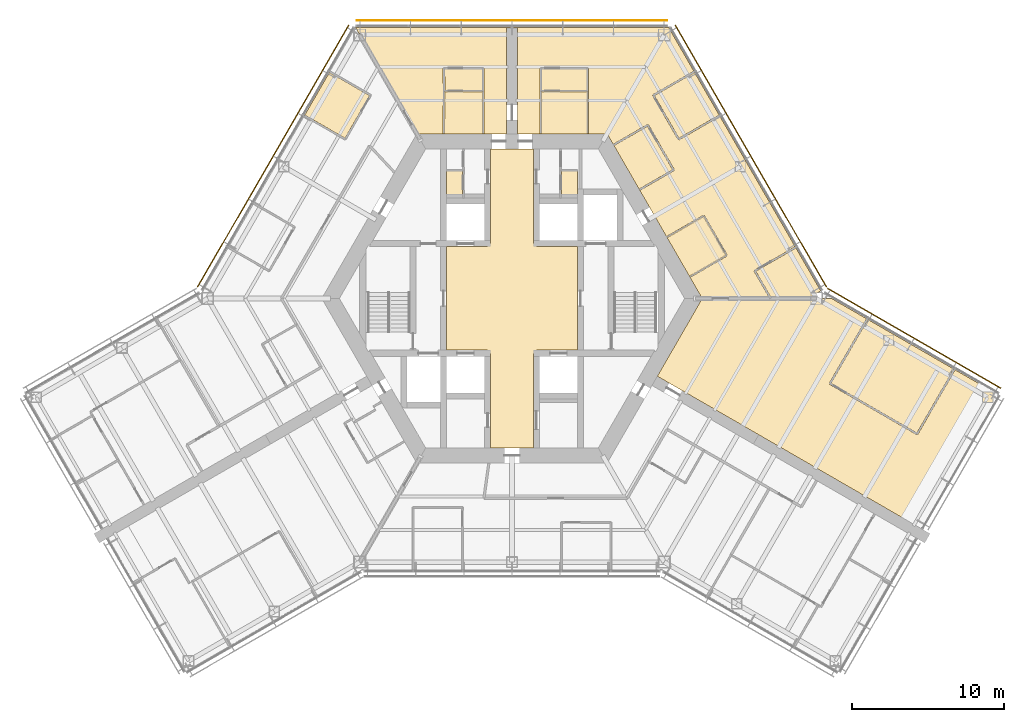
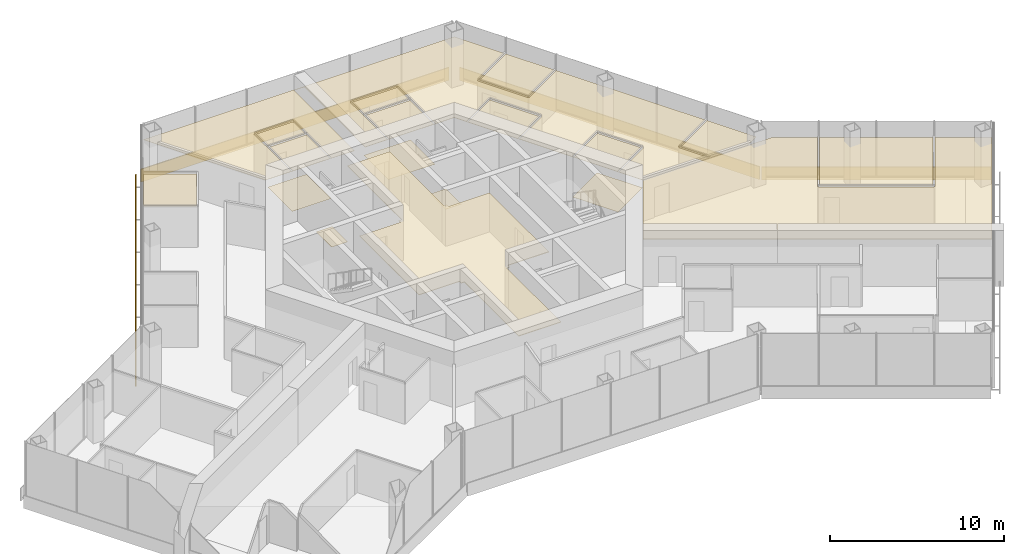
# One storey, part 19 of 19: 19 coverings, 4 shading devices.
"""IFC4 building model written with IfcOpenShell, lengths in metres."""

from ifc_helpers import new_model, si_unit, direction, frame, origin, origin_2d, place, context, subcontext, project, spatial, polyline, rectangle, outline, extrude, material, layer, layer_set, type_object, element, save


model = new_model("IFC4")

# Units and contexts
model_context = context("Model", 3, precision=1e-05, world=origin(), true_north=direction((0.0, 1.0)))
body_context = subcontext(model_context, "Body", "Model", "MODEL_VIEW")
ifc_project = project(units=[si_unit("LENGTHUNIT", "METRE"), si_unit("AREAUNIT", "SQUARE_METRE"), si_unit("VOLUMEUNIT", "CUBIC_METRE"), si_unit("PLANEANGLEUNIT", "RADIAN"), si_unit("MASSUNIT", "GRAM", prefix="KILO")], contexts=[model_context])

# Site, building, storey
site_placement = place(None, origin())
site = spatial("IfcSite", under=ifc_project, at=site_placement, CompositionType="ELEMENT")
building_placement = place(site_placement, origin())
building = spatial("IfcBuilding", under=site, at=building_placement, Name="Kasaneha Research Tower", CompositionType="ELEMENT")
storey_placement = place(building_placement, frame((0.0, 0.0, 164.300048828125)))
storey = spatial("IfcBuildingStorey", under=building, at=storey_placement, Name="L41", CompositionType="ELEMENT", Elevation=164.300048828125)

# Coverings
ifc_material_1 = material(Name="Aluminium panel ceiling", Category="aluminium")
ifc_layer_1 = layer(ifc_material_1, 0.0400390625)
ifc_layer_set_1 = layer_set([ifc_layer_1], Name="Lift lobby ceiling 40")
covering_type_1 = type_object("IfcCoveringType", Name="Lift lobby ceiling 40", PredefinedType="CEILING", material=ifc_layer_set_1)
covering_1_placement = place(storey_placement, frame((0.0, 0.0, 2.699951171875)))
element("IfcCovering", 1, at=covering_1_placement, inside=storey, type_object=covering_type_1, Name="Ceiling L41-01", PredefinedType="CEILING", context=body_context, shape_type="SweptSolid", body=[
    extrude(outline(polyline([(1.39990234375, 9.824951171875), (1.39990234375, 3.60009765625), (1.60009765625, 3.60009765625), (1.60009765625, 3.39990234375), (4.300048828125, 3.39990234375), (4.300048828125, -3.39990234375), (1.60009765625, -3.39990234375), (1.60009765625, -3.60009765625), (1.39990234375, -3.60009765625), (1.39990234375, -9.824951171875), (-1.39990234375, -9.824951171875), (-1.39990234375, -3.60009765625), (-1.60009765625, -3.60009765625), (-1.60009765625, -3.39990234375), (-4.300048828125, -3.39990234375), (-4.300048828125, 3.39990234375), (-1.60009765625, 3.39990234375), (-1.60009765625, 3.60009765625), (-1.39990234375, 3.60009765625), (-1.39990234375, 9.824951171875), (1.39990234375, 9.824951171875)])), origin(), (0.0, 0.0, 1.0), 0.0400390625),
])
ifc_material_2 = material(Name="Gypsum ceiling board", Category="gypsum")
ifc_layer_2 = layer(ifc_material_2, 0.02001953125)
ifc_layer_set_2 = layer_set([ifc_layer_2], Name="Suspended ceiling 20")
covering_type_2 = type_object("IfcCoveringType", Name="Suspended ceiling 20", PredefinedType="CEILING", material=ifc_layer_set_2)
covering_2_placement = place(storey_placement, frame((0.0, 0.0, 2.800048828125)))
element("IfcCovering", 2, at=covering_2_placement, inside=storey, type_object=covering_type_2, Name="Ceiling L41-26", PredefinedType="CEILING", context=body_context, shape_type="SweptSolid", body=[
    extrude(outline(polyline([(1.89990234375, 10.824951171875), (1.89990234375, 10.844970703125), (1.949951171875, 10.844970703125), (1.95458984375, 13.570068359375), (4.91650390625, 13.570068359375), (4.9208984375, 10.844970703125), (4.970947265625, 10.844970703125), (4.970947265625, 10.824951171875), (1.89990234375, 10.824951171875)])), origin(), (0.0, 0.0, 1.0), 0.02001953125),
])
covering_3_placement = place(storey_placement, frame((0.0, 0.0, 2.800048828125)))
element("IfcCovering", 3, at=covering_3_placement, inside=storey, type_object=covering_type_2, Name="Ceiling L41-27", PredefinedType="CEILING", context=body_context, shape_type="SweptSolid", body=[
    extrude(outline(polyline([(4.91650390625, 13.669921875), (1.954345703125, 13.669921875), (1.9501953125, 15.074951171875), (4.9208984375, 15.074951171875), (4.91650390625, 13.669921875)])), origin(), (0.0, 0.0, 1.0), 0.02001953125),
])
covering_4_placement = place(storey_placement, frame((0.0, 0.0, 2.800048828125)))
element("IfcCovering", 4, at=covering_4_placement, inside=storey, type_object=covering_type_2, Name="Ceiling L41-28", PredefinedType="CEILING", context=body_context, shape_type="SweptSolid", body=[
    extrude(outline(polyline([(10.1748046875, 4.02685546875), (10.192138671875, 4.036865234375), (10.217041015625, 3.99365234375), (12.581298828125, 5.358642578125), (14.03125, 2.84716796875), (11.6669921875, 1.482177734375), (11.692138671875, 1.438720703125), (11.6748046875, 1.4287109375), (10.1748046875, 4.02685546875)])), origin(), (0.0, 0.0, 1.0), 0.02001953125),
])
covering_5_placement = place(storey_placement, frame((0.0, 0.0, 2.800048828125)))
element("IfcCovering", 5, at=covering_5_placement, inside=storey, type_object=covering_type_2, Name="Ceiling L41-29", PredefinedType="CEILING", context=body_context, shape_type="SweptSolid", body=[
    extrude(outline(polyline([(13.640869140625, 12.0146484375), (13.623291015625, 12.004638671875), (13.598388671875, 12.0478515625), (10.974365234375, 10.53271484375), (9.35888671875, 13.330810546875), (12.000244140625, 14.85595703125), (13.640869140625, 12.0146484375)])), origin(), (0.0, 0.0, 1.0), 0.02001953125),
])
covering_6_placement = place(storey_placement, frame((0.0, 0.0, 2.800048828125)))
element("IfcCovering", 6, at=covering_6_placement, inside=storey, type_object=covering_type_2, Name="Ceiling L41-30", PredefinedType="CEILING", context=body_context, shape_type="SweptSolid", body=[
    extrude(outline(polyline([(6.6748046875, 10.089111328125), (6.69189453125, 10.09912109375), (6.717041015625, 10.0556640625), (8.908203125, 11.32080078125), (10.55810546875, 8.462890625), (8.366943359375, 7.197998046875), (8.39208984375, 7.154541015625), (8.374755859375, 7.14453125), (6.6748046875, 10.089111328125)])), origin(), (0.0, 0.0, 1.0), 0.02001953125),
])
covering_7_placement = place(storey_placement, frame((0.0, 0.0, 2.800048828125)))
element("IfcCovering", 7, at=covering_7_placement, inside=storey, type_object=covering_type_2, Name="Ceiling L41-31", PredefinedType="CEILING", context=body_context, shape_type="SweptSolid", body=[
    extrude(outline(polyline([(19.41845703125, 0.0), (16.997802734375, 0.0), (16.986328125, 0.02001953125), (17.029541015625, 0.044921875), (16.020751953125, 1.792236328125), (18.644775390625, 3.30712890625), (18.619873046875, 3.3505859375), (18.63720703125, 3.360595703125), (20.28759765625, 0.501708984375), (19.41845703125, 0.0)])), origin(), (0.0, 0.0, 1.0), 0.02001953125),
])
covering_8_placement = place(storey_placement, frame((0.0, 0.0, 2.800048828125)))
element("IfcCovering", 8, at=covering_8_placement, inside=storey, type_object=covering_type_2, Name="Ceiling L41-32", PredefinedType="CEILING", context=body_context, shape_type="SweptSolid", body=[
    extrude(outline(polyline([(11.6923828125, 1.438232421875), (11.717041015625, 1.3955078125), (14.12451171875, 2.785400390625), (14.099609375, 2.828857421875), (14.10009765625, 2.8291015625), (14.10009765625, 2.8291015625), (14.142822265625, 2.853759765625), (12.642822265625, 5.451904296875), (12.599853515625, 5.427001953125), (12.599609375, 5.42724609375), (12.599365234375, 5.42724609375), (12.57470703125, 5.47021484375), (10.1669921875, 4.080078125), (10.19189453125, 4.037353515625), (10.174560546875, 4.02734375), (8.375, 7.14404296875), (8.392333984375, 7.154052734375), (8.4169921875, 7.111328125), (10.6513671875, 8.4013671875), (10.62646484375, 8.4443359375), (10.626953125, 8.444580078125), (10.626708984375, 8.44482421875), (10.669677734375, 8.469482421875), (8.9697265625, 11.4140625), (8.9267578125, 11.38916015625), (8.9267578125, 11.389404296875), (8.92626953125, 11.38916015625), (8.9013671875, 11.432373046875), (6.6669921875, 10.142333984375), (6.691650390625, 10.099365234375), (6.674560546875, 10.08935546875), (6.249755859375, 10.824951171875), (4.971435546875, 10.824951171875), (4.971435546875, 10.844970703125), (5.02099609375, 10.844970703125), (5.016357421875, 13.625), (5.02099609375, 15.124755859375), (4.971435546875, 15.125), (4.971435546875, 15.12548828125), (4.970947265625, 15.12548828125), (4.970947265625, 15.175048828125), (1.89990234375, 15.175048828125), (1.89990234375, 15.125244140625), (1.899658203125, 15.125244140625), (1.899658203125, 15.125), (1.85009765625, 15.124755859375), (1.8544921875, 13.625), (1.85009765625, 10.844970703125), (1.8994140625, 10.844970703125), (1.8994140625, 10.824951171875), (0.35009765625, 10.824951171875), (0.35009765625, 11.72509765625), (0.35009765625, 12.72509765625), (0.35009765625, 17.7705078125), (0.35009765625, 17.7705078125), (0.0, 17.7705078125), (0.0, 17.820556640625), (10.28857421875, 17.820556640625), (11.9501953125, 14.9423828125), (9.265625, 13.392578125), (9.29052734375, 13.349609375), (9.2900390625, 13.349365234375), (9.290283203125, 13.34912109375), (9.247314453125, 13.32421875), (10.912841796875, 10.439453125), (10.9560546875, 10.464599609375), (10.981201171875, 10.421142578125), (13.6484375, 11.961181640625), (13.62353515625, 12.004150390625), (13.64111328125, 12.01416015625), (18.636962890625, 3.36083984375), (18.61962890625, 3.350830078125), (18.5947265625, 3.393798828125), (15.927490234375, 1.853759765625), (15.952392578125, 1.810791015625), (15.9521484375, 1.810791015625), (15.9521484375, 1.810302734375), (15.9091796875, 1.785400390625), (16.93994140625, 0.0), (12.49951171875, 0.0), (11.675048828125, 1.428466796875), (11.6923828125, 1.438232421875)])), origin(), (0.0, 0.0, 1.0), 0.02001953125),
])
covering_9_placement = place(storey_placement, frame((0.0, 0.0, 2.800048828125)))
element("IfcCovering", 9, at=covering_9_placement, inside=storey, type_object=covering_type_2, Name="Ceiling L41-33", PredefinedType="CEILING", context=body_context, shape_type="SweptSolid", body=[
    extrude(outline(polyline([(-4.470947265625, 10.824951171875), (-4.470947265625, 10.844970703125), (-4.4208984375, 10.844970703125), (-4.41650390625, 13.570068359375), (-1.95458984375, 13.570068359375), (-1.949951171875, 10.844970703125), (-1.89990234375, 10.844970703125), (-1.89990234375, 10.824951171875), (-4.470947265625, 10.824951171875)])), origin(), (0.0, 0.0, 1.0), 0.02001953125),
])
covering_10_placement = place(storey_placement, frame((0.0, 0.0, 2.800048828125)))
element("IfcCovering", 10, at=covering_10_placement, inside=storey, type_object=covering_type_2, Name="Ceiling L41-34", PredefinedType="CEILING", context=body_context, shape_type="SweptSolid", body=[
    extrude(outline(polyline([(-1.9501953125, 15.074951171875), (-1.95458984375, 13.669921875), (-4.41650390625, 13.669921875), (-4.4208984375, 15.074951171875), (-1.9501953125, 15.074951171875)])), origin(), (0.0, 0.0, 1.0), 0.02001953125),
])
covering_11_placement = place(storey_placement, frame((0.0, 0.0, 2.800048828125)))
element("IfcCovering", 11, at=covering_11_placement, inside=storey, type_object=covering_type_2, Name="Ceiling L41-35", PredefinedType="CEILING", context=body_context, shape_type="SweptSolid", body=[
    extrude(outline(polyline([(-0.35009765625, 11.72509765625), (-0.35009765625, 10.824951171875), (-1.8994140625, 10.824951171875), (-1.8994140625, 10.844970703125), (-1.85009765625, 10.844970703125), (-1.854736328125, 13.625), (-1.85009765625, 15.124755859375), (-1.89990234375, 15.125), (-1.89990234375, 15.12548828125), (-1.89990234375, 15.175048828125), (-4.470947265625, 15.175048828125), (-4.470947265625, 15.125244140625), (-4.471435546875, 15.125244140625), (-4.471435546875, 15.125), (-4.52099609375, 15.124755859375), (-4.516357421875, 13.625), (-4.52099609375, 10.844970703125), (-4.471435546875, 10.844970703125), (-4.471435546875, 10.824951171875), (-6.249755859375, 10.824951171875), (-10.28857421875, 17.820556640625), (0.0, 17.820556640625), (0.0, 17.7705078125), (-0.35009765625, 17.7705078125), (-0.35009765625, 17.7705078125), (-0.35009765625, 12.72509765625), (-0.35009765625, 11.72509765625)])), origin(), (0.0, 0.0, 1.0), 0.02001953125),
])
covering_12_placement = place(storey_placement, frame((0.0, 0.0, 2.800048828125)))
element("IfcCovering", 12, at=covering_12_placement, inside=storey, type_object=covering_type_2, Name="Ceiling L41-41", PredefinedType="CEILING", context=body_context, shape_type="SweptSolid", body=[
    extrude(outline(polyline([(-12.000244140625, 14.85595703125), (-9.35888671875, 13.330810546875), (-10.974365234375, 10.53271484375), (-13.598388671875, 12.0478515625), (-13.623291015625, 12.004638671875), (-13.640869140625, 12.0146484375), (-12.000244140625, 14.85595703125)])), origin(), (0.0, 0.0, 1.0), 0.02001953125),
])
covering_13_placement = place(storey_placement, frame((0.0, 0.0, 2.800048828125)))
element("IfcCovering", 13, at=covering_13_placement, inside=storey, type_object=covering_type_2, Name="Ceiling L41-49", PredefinedType="CEILING", context=body_context, shape_type="SweptSolid", body=[
    extrude(outline(polyline([(29.03173828125, -4.636962890625), (26.606689453125, -8.83740234375), (20.96044921875, -5.577392578125), (23.37548828125, -1.39453125), (23.332275390625, -1.36962890625), (23.34228515625, -1.352294921875), (29.03173828125, -4.636962890625)])), origin(), (0.0, 0.0, 1.0), 0.02001953125),
])
covering_14_placement = place(storey_placement, frame((0.0, 0.0, 2.800048828125)))
element("IfcCovering", 14, at=covering_14_placement, inside=storey, type_object=covering_type_2, Name="Ceiling L41-50", PredefinedType="CEILING", context=body_context, shape_type="SweptSolid", body=[
    extrude(outline(polyline([(9.5498046875, -5.109375), (12.49951171875, 0.0), (16.93994140625, 0.0), (16.94287109375, -0.0048828125), (16.95166015625, 0.0), (21.0, 0.0), (23.341796875, -1.35205078125), (23.331787109375, -1.369384765625), (23.288818359375, -1.344482421875), (20.848876953125, -5.57080078125), (20.89208984375, -5.595703125), (20.8671875, -5.63916015625), (26.60009765625, -8.948974609375), (26.624755859375, -8.906005859375), (26.625, -8.906005859375), (26.625244140625, -8.90576171875), (26.668212890625, -8.9306640625), (29.1181640625, -4.68701171875), (31.94140625, -6.31689453125), (26.866455078125, -15.107177734375), (14.286376953125, -7.843994140625), (10.3291015625, -5.559326171875), (10.3291015625, -5.559326171875), (9.5498046875, -5.109375)])), origin(), (0.0, 0.0, 1.0), 0.02001953125),
])

# Shading devices
ifc_material_3 = material(Name="Terracotta", Category="masonry")
ifc_layer_3 = layer(ifc_material_3, 0.06005859375)
ifc_layer_set_3 = layer_set([ifc_layer_3], Name="Terracotta baguette screen")
shading_device_type = type_object("IfcShadingDeviceType", Name="Terracotta baguette screen", PredefinedType="USERDEFINED", material=ifc_layer_set_3)
shading_device_1_placement = place(storey_placement, frame((26.43359375, -2.617431640625, -0.449951171875), z_axis=(0.0, 0.0, 1.0), x_axis=(-0.866025411464, 0.499999986699, 0.0)))
element("IfcShadingDevice", 15, at=shading_device_1_placement, inside=storey, type_object=shading_device_type, Name="Baguette screen L41 05", ObjectType="TERRACOTTA BAGUETTE SCREEN", PredefinedType="USERDEFINED", context=body_context, shape_type="SweptSolid", body=[
    extrude(rectangle(XDim=13.13916015625, YDim=0.06005859375, at=origin_2d()), origin(), (0.0, 0.0, 1.0), 0.89990234375),
])
shading_device_2_placement = place(storey_placement, frame((15.696044921875, 9.35498046875, -0.449951171875), z_axis=(0.0, 0.0, 1.0), x_axis=(-0.499999979232, 0.866025415775, 0.0)))
element("IfcShadingDevice", 16, at=shading_device_2_placement, inside=storey, type_object=shading_device_type, Name="Baguette screen L41 06", ObjectType="TERRACOTTA BAGUETTE SCREEN", PredefinedType="USERDEFINED", context=body_context, shape_type="SweptSolid", body=[
    extrude(rectangle(XDim=19.8857421875, YDim=0.06005859375, at=origin_2d()), origin(), (0.0, 0.0, 1.0), 0.89990234375),
])
shading_device_3_placement = place(storey_placement, frame((0.0, 18.2705078125, -0.449951171875), z_axis=(0.0, 0.0, 1.0), x_axis=(-1.0, 0.0, 0.0)))
element("IfcShadingDevice", 17, at=shading_device_3_placement, inside=storey, type_object=shading_device_type, Name="Baguette screen L41 07", ObjectType="TERRACOTTA BAGUETTE SCREEN", PredefinedType="USERDEFINED", context=body_context, shape_type="SweptSolid", body=[
    extrude(rectangle(XDim=20.392822265625, YDim=0.06005859375, at=origin_2d()), origin(), (0.0, 0.0, 1.0), 0.89990234375),
])
shading_device_4_placement = place(storey_placement, frame((-15.696044921875, 9.35498046875, -0.449951171875), z_axis=(0.0, 0.0, 1.0), x_axis=(-0.499999979232, -0.866025415775, 0.0)))
element("IfcShadingDevice", 18, at=shading_device_4_placement, inside=storey, type_object=shading_device_type, Name="Baguette screen L41 08", ObjectType="TERRACOTTA BAGUETTE SCREEN", PredefinedType="USERDEFINED", context=body_context, shape_type="SweptSolid", body=[
    extrude(rectangle(XDim=19.8857421875, YDim=0.06005859375, at=origin_2d()), origin(), (0.0, 0.0, 1.0), 0.89990234375),
])

# Coverings
ifc_material_4 = material(Name="Vinyl sheet flooring", Category="plastic")
ifc_layer_4 = layer(ifc_material_4, 0.0048828125)
ifc_layer_set_4 = layer_set([ifc_layer_4], Name="Wet room sheet flooring 5")
covering_type_3 = type_object("IfcCoveringType", Name="Wet room sheet flooring 5", PredefinedType="FLOORING", material=ifc_layer_set_4)
covering_15_placement = place(storey_placement, origin())
element("IfcCovering", 19, at=covering_15_placement, inside=storey, type_object=covering_type_3, Name="Floor finish L41-07", PredefinedType="FLOORING", context=body_context, shape_type="SweptSolid", body=[
    extrude(outline(polyline([(-4.300048828125, 6.60009765625), (-4.300048828125, 8.375), (-3.25, 8.375), (-3.25, 6.60009765625), (-4.300048828125, 6.60009765625)])), origin(), (0.0, 0.0, 1.0), 0.0048828125),
])
covering_16_placement = place(storey_placement, origin())
element("IfcCovering", 20, at=covering_16_placement, inside=storey, type_object=covering_type_3, Name="Floor finish L41-10", PredefinedType="FLOORING", context=body_context, shape_type="SweptSolid", body=[
    extrude(outline(polyline([(3.25, 6.60009765625), (3.25, 8.375), (4.300048828125, 8.375), (4.300048828125, 7.0), (4.300048828125, 6.60009765625), (3.25, 6.60009765625)])), origin(), (0.0, 0.0, 1.0), 0.0048828125),
])
covering_17_placement = place(storey_placement, origin())
element("IfcCovering", 21, at=covering_17_placement, inside=storey, type_object=covering_type_3, Name="Floor finish L41-26", PredefinedType="FLOORING", context=body_context, shape_type="SweptSolid", body=[
    extrude(outline(polyline([(4.970947265625, 13.625), (4.970947265625, 10.824951171875), (1.89990234375, 10.824951171875), (1.89990234375, 13.625), (4.970947265625, 13.625)])), origin(), (0.0, 0.0, 1.0), 0.0048828125),
])
covering_18_placement = place(storey_placement, origin())
element("IfcCovering", 22, at=covering_18_placement, inside=storey, type_object=covering_type_3, Name="Floor finish L41-28", PredefinedType="FLOORING", context=body_context, shape_type="SweptSolid", body=[
    extrude(outline(polyline([(14.099609375, 2.828857421875), (11.6748046875, 1.4287109375), (10.1748046875, 4.02685546875), (12.599609375, 5.4267578125), (14.099609375, 2.828857421875)])), origin(), (0.0, 0.0, 1.0), 0.0048828125),
])
covering_19_placement = place(storey_placement, origin())
element("IfcCovering", 23, at=covering_19_placement, inside=storey, type_object=covering_type_3, Name="Floor finish L41-33", PredefinedType="FLOORING", context=body_context, shape_type="SweptSolid", body=[
    extrude(outline(polyline([(-1.89990234375, 13.625), (-1.89990234375, 10.824951171875), (-4.470947265625, 10.824951171875), (-4.470947265625, 13.625), (-1.89990234375, 13.625)])), origin(), (0.0, 0.0, 1.0), 0.0048828125),
])

save(model, "model.ifc")
